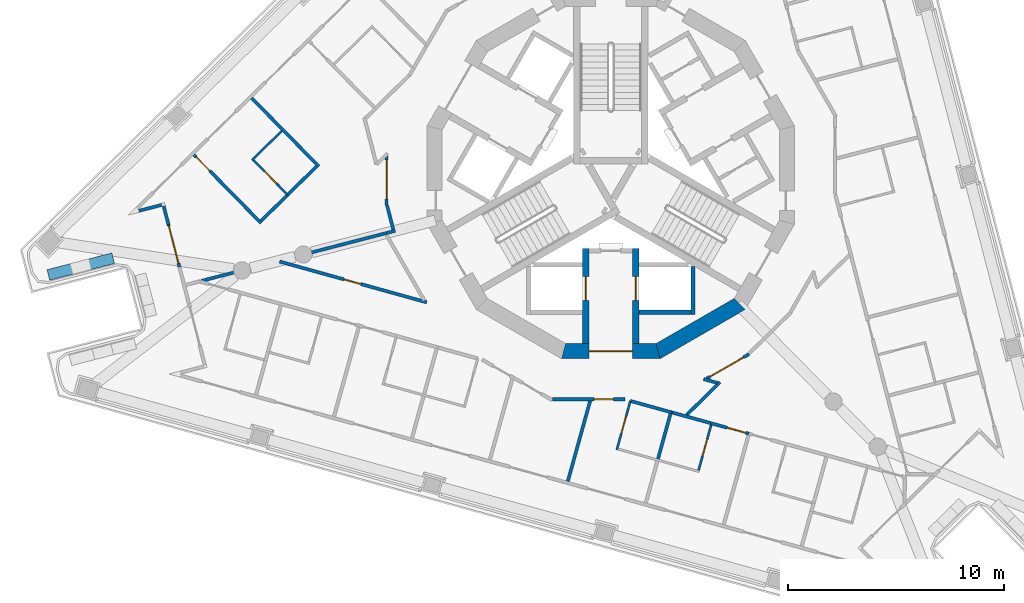
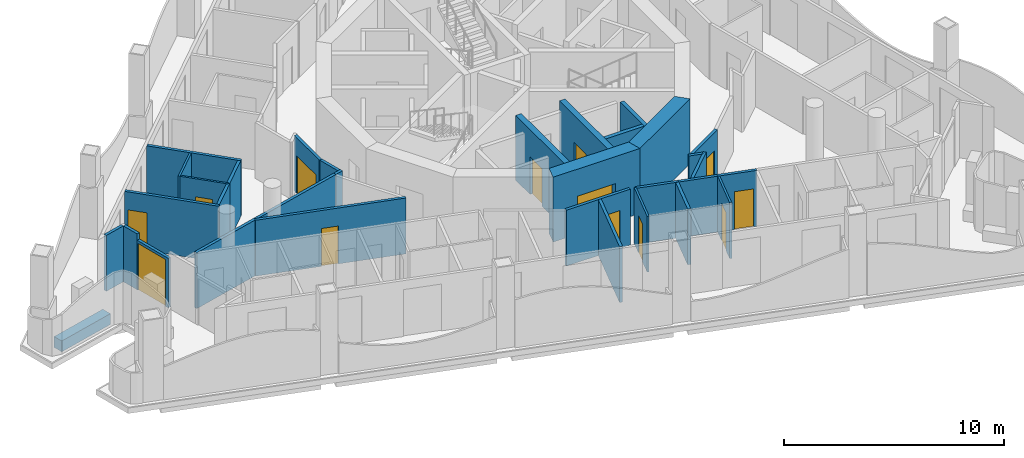
# One storey, part 3 of 15: 32 walls, 13 doors, 13 openings.
"""IFC4 building model written with IfcOpenShell, lengths in metres."""

from ifc_helpers import new_model, si_unit, direction, frame, frame_2d, origin, place, context, subcontext, project, spatial, polyline, rectangle, outline, extrude, material, layer, layer_set, type_object, element, fill, save


model = new_model("IFC4")

# Units and contexts
model_context = context("Model", 3, precision=1e-05, world=origin(), true_north=direction((0.0, 1.0)))
body_context = subcontext(model_context, "Body", "Model", "MODEL_VIEW")
ifc_project = project(units=[si_unit("LENGTHUNIT", "METRE"), si_unit("AREAUNIT", "SQUARE_METRE"), si_unit("VOLUMEUNIT", "CUBIC_METRE"), si_unit("PLANEANGLEUNIT", "RADIAN"), si_unit("MASSUNIT", "GRAM", prefix="KILO")], contexts=[model_context])

# Site, building, storey
site_placement = place(None, origin())
site = spatial("IfcSite", under=ifc_project, at=site_placement, CompositionType="ELEMENT")
building_placement = place(site_placement, origin())
building = spatial("IfcBuilding", under=site, at=building_placement, Name="Trine Commons Tower", CompositionType="ELEMENT")
storey_placement = place(building_placement, frame((0.0, 0.0, 263.699951171875)))
storey = spatial("IfcBuildingStorey", under=building, at=storey_placement, Name="L69", CompositionType="ELEMENT", Elevation=263.699951171875)

# Wall, opening, door
ifc_material_1 = material(Name="Aluminium-framed insulated wall panel", Category="aluminium")
ifc_layer_1 = layer(ifc_material_1, 0.14990234375)
ifc_layer_set_1 = layer_set([ifc_layer_1], Name="Aluminium-framed insulated wall panel")
wall_type_1 = type_object("IfcWallType", Name="Glazed frame wall 150, EI 60", PredefinedType="SOLIDWALL", material=ifc_layer_set_1)
wall_1_placement = place(storey_placement, frame((60.0390625, 58.2451171875, 0.0), z_axis=(0.0, 0.0, 1.0), x_axis=(-0.250341838346, 0.968157509899, 0.0)))
wall_1 = element("IfcWall", 1, at=wall_1_placement, inside=storey, type_object=wall_type_1, Name="Glazed frame wall P3.4", PredefinedType="SOLIDWALL", context=body_context, shape_type="SweptSolid", body=[
    extrude(outline(polyline([(0.0, -0.074951171875), (2.021484375, -0.074951171875), (2.021484375, 0.074951171875), (0.0, 0.074951171875), (0.0, -0.074951171875)])), origin(), (0.0, 0.0, 1.0), 2.75),
])
opening_1_placement = place(wall_1_placement, frame((0.17138671875, 0.0, 0.0)))
opening_1 = element("IfcOpeningElement", 2, at=opening_1_placement, cuts=wall_1, Name="Opening BD-7P3-02", PredefinedType="OPENING", context=body_context, shape_type="SweptSolid", body=[
    extrude(rectangle(XDim=1.800048828125, YDim=2.60009765625, at=frame_2d((0.89990234375, 1.300048828125))), frame((0.0, 0.0849609375, 0.0), z_axis=(0.0, -1.0, 0.0), x_axis=(1.0, 0.0, 0.0)), (0.0, 0.0, 1.0), 0.169921875),
])
ifc_material_2 = material(Name="Anodised aluminium frame with double glazing", Category="aluminium")
door_type_1 = type_object("IfcDoorType", Name="Sliding loggia door 1800x2600", OperationType="SLIDING_TO_LEFT", PredefinedType="DOOR", material=ifc_material_2)
door_1_placement = place(opening_1_placement, origin())
door_1 = element("IfcDoor", 3, at=door_1_placement, inside=storey, type_object=door_type_1, Name="Loggia door P3 2", OperationType="SLIDING_TO_LEFT", OverallHeight=2.60009765625, OverallWidth=1.800048828125, PredefinedType="DOOR", context=body_context, shape_type="SweptSolid", body=[
    extrude(rectangle(XDim=1.800048828125, YDim=2.60009765625, at=frame_2d((0.89990234375, 1.300048828125))), frame((0.0, 0.02490234375, 0.0), z_axis=(0.0, -1.0, 0.0), x_axis=(1.0, 0.0, 0.0)), (0.0, 0.0, 1.0), 0.050048828125),
])
fill(opening_1, door_1)

# Walls
wall_2_placement = place(storey_placement, frame((59.532958984375, 60.202392578125, 0.0), z_axis=(0.0, 0.0, 1.0), x_axis=(-0.250284169086, 0.968172419926, 0.0)))
element("IfcWall", 4, at=wall_2_placement, inside=storey, type_object=wall_type_1, Name="Glazed frame wall P3.5", PredefinedType="SOLIDWALL", context=body_context, shape_type="SweptSolid", body=[
    extrude(outline(polyline([(0.889892578125, 0.074951171875), (0.0, 0.074951171875), (0.0, -0.074951171875), (0.889892578125, -0.074951171875), (0.889892578125, 0.074951171875)])), origin(), (0.0, 0.0, 1.0), 3.10009765625),
])
wall_3_placement = place(storey_placement, frame((59.3251953125, 61.145263671875, 0.0), z_axis=(0.0, 0.0, 1.0), x_axis=(-0.968156774456, -0.250344682538, 0.0)))
element("IfcWall", 5, at=wall_3_placement, inside=storey, type_object=wall_type_1, Name="Glazed frame wall R12", PredefinedType="SOLIDWALL", context=body_context, shape_type="SweptSolid", body=[
    extrude(outline(polyline([(0.110107421875, 0.074951171875), (0.110107421875, -0.074951171875), (1.19580078125, -0.074951171875), (1.19580078125, 0.074951171875), (0.110107421875, 0.074951171875)])), origin(), (0.0, 0.0, 1.0), 3.10009765625),
])
ifc_material_3 = material(Name="Planter trough, precast concrete C40/50", Category="concrete")
ifc_layer_2 = layer(ifc_material_3, 0.5)
ifc_layer_set_2 = layer_set([ifc_layer_2], Name="Planter trough, precast concrete C40/50")
wall_type_2 = type_object("IfcWallType", Name="Planter trough 500x600", PredefinedType="PARAPET", material=ifc_layer_set_2)
wall_4_placement = place(storey_placement, frame((56.974609375, 58.65234375, 0.0), z_axis=(0.0, 0.0, 1.0), x_axis=(-0.968151190511, -0.250366276306, 0.0)))
element("IfcWall", 6, at=wall_4_placement, inside=storey, type_object=wall_type_2, Name="Planter 3", PredefinedType="PARAPET", context=body_context, shape_type="SweptSolid", body=[
    extrude(rectangle(XDim=3.099853515625, YDim=0.5, at=frame_2d((1.5498046875, 0.0))), origin(), (0.0, 0.0, 1.0), 0.60009765625),
])

# Wall, opening, door
ifc_material_4 = material(Name="Concrete C50/60", Category="concrete")
ifc_layer_3 = layer(ifc_material_4, 0.300048828125)
ifc_layer_set_3 = layer_set([ifc_layer_3], Name="Concrete C50/60")
wall_type_3 = type_object("IfcWallType", Name="RC shear wall 300 mm, C50/60", PredefinedType="SHEAR", material=ifc_layer_set_3)
wall_5_placement = place(storey_placement, frame((78.85009765625, 59.10009765625, 0.0), z_axis=(0.0, 0.0, 1.0), x_axis=(0.0, -1.0, 0.0)))
wall_5 = element("IfcWall", 7, at=wall_5_placement, inside=storey, type_object=wall_type_3, Name="Core cross wall SWC-03 L69", PredefinedType="SHEAR", context=body_context, shape_type="SweptSolid", body=[
    extrude(rectangle(XDim=4.400146484375, YDim=0.300048828125, at=frame_2d((2.2001953125, 0.0))), origin(), (0.0, 0.0, 1.0), 3.60009765625),
])
opening_2_placement = place(wall_5_placement, frame((1.300048828125, 0.0, 0.0)))
opening_2 = element("IfcOpeningElement", 8, at=opening_2_placement, cuts=wall_5, Name="Opening LD10", PredefinedType="OPENING", context=body_context, shape_type="SweptSolid", body=[
    extrude(rectangle(XDim=1.10009765625, YDim=2.10009765625, at=frame_2d((0.550048828125, 1.050048828125))), frame((0.0, 0.159912109375, 0.0), z_axis=(0.0, -1.0, 0.0), x_axis=(1.0, 0.0, 0.0)), (0.0, 0.0, 1.0), 0.320068359375),
])
ifc_material_5 = material(Name="Stainless steel sliding door leaves", Category="steel")
door_type_2 = type_object("IfcDoorType", Name="Lift landing door, centre-opening sliding 1100 x 2100, FD90", OperationType="DOUBLE_DOOR_SLIDING", PredefinedType="DOOR", material=ifc_material_5)
door_2_placement = place(opening_2_placement, origin())
door_2 = element("IfcDoor", 9, at=door_2_placement, inside=storey, type_object=door_type_2, Name="Lift landing door FF2 L69", OperationType="DOUBLE_DOOR_SLIDING", OverallHeight=2.10009765625, OverallWidth=1.10009765625, PredefinedType="DOOR", context=body_context, shape_type="SweptSolid", body=[
    extrude(rectangle(XDim=1.10009765625, YDim=2.10009765625, at=frame_2d((0.550048828125, 1.050048828125))), frame((0.0, 0.02490234375, 0.0), z_axis=(0.0, -1.0, 0.0), x_axis=(1.0, 0.0, 0.0)), (0.0, 0.0, 1.0), 0.050048828125),
])
fill(opening_2, door_2)

wall_6_placement = place(storey_placement, frame((81.14990234375, 59.10009765625, 0.0), z_axis=(0.0, 0.0, 1.0), x_axis=(0.0, -1.0, 0.0)))
wall_6 = element("IfcWall", 10, at=wall_6_placement, inside=storey, type_object=wall_type_3, Name="Core cross wall SWC-04 L69", PredefinedType="SHEAR", context=body_context, shape_type="SweptSolid", body=[
    extrude(rectangle(XDim=4.400146484375, YDim=0.300048828125, at=frame_2d((2.2001953125, 0.0))), origin(), (0.0, 0.0, 1.0), 3.60009765625),
])
opening_3_placement = place(wall_6_placement, frame((1.300048828125, 0.0, 0.0)))
opening_3 = element("IfcOpeningElement", 11, at=opening_3_placement, cuts=wall_6, Name="Opening LD9", PredefinedType="OPENING", context=body_context, shape_type="SweptSolid", body=[
    extrude(rectangle(XDim=1.10009765625, YDim=2.10009765625, at=frame_2d((0.550048828125, 1.050048828125))), frame((0.0, 0.159912109375, 0.0), z_axis=(0.0, -1.0, 0.0), x_axis=(1.0, 0.0, 0.0)), (0.0, 0.0, 1.0), 0.320068359375),
])
door_3_placement = place(opening_3_placement, origin())
door_3 = element("IfcDoor", 12, at=door_3_placement, inside=storey, type_object=door_type_2, Name="Lift landing door FF1 L69", OperationType="DOUBLE_DOOR_SLIDING", OverallHeight=2.10009765625, OverallWidth=1.10009765625, PredefinedType="DOOR", context=body_context, shape_type="SweptSolid", body=[
    extrude(rectangle(XDim=1.10009765625, YDim=2.10009765625, at=frame_2d((0.550048828125, 1.050048828125))), frame((0.0, 0.02490234375, 0.0), z_axis=(0.0, -1.0, 0.0), x_axis=(1.0, 0.0, 0.0)), (0.0, 0.0, 1.0), 0.050048828125),
])
fill(opening_3, door_3)

ifc_layer_4 = layer(ifc_material_4, 0.699951171875)
ifc_layer_set_4 = layer_set([ifc_layer_4], Name="Concrete C50/60")
wall_type_4 = type_object("IfcWallType", Name="RC shear wall 700 mm, C50/60", PredefinedType="SHEAR", material=ifc_layer_set_4)
wall_7_placement = place(storey_placement, frame((77.722412109375, 54.349853515625, 0.0), z_axis=(0.0, 0.0, 1.0), x_axis=(1.0, 0.0, 0.0)))
wall_7 = element("IfcWall", 13, at=wall_7_placement, inside=storey, type_object=wall_type_4, Name="Core wall CWG-10 L69", PredefinedType="SHEAR", context=body_context, shape_type="SweptSolid", body=[
    extrude(outline(polyline([(0.0, -0.35009765625), (4.55517578125, -0.35009765625), (4.36767578125, 0.35009765625), (0.1875, 0.35009765625), (0.0, -0.35009765625)])), origin(), (0.0, 0.0, 1.0), 3.60009765625),
])
opening_4_placement = place(wall_7_placement, frame((1.277587890625, 0.0, 0.0)))
opening_4 = element("IfcOpeningElement", 14, at=opening_4_placement, cuts=wall_7, Name="Opening K15.08", PredefinedType="OPENING", context=body_context, shape_type="SweptSolid", body=[
    extrude(rectangle(XDim=2.0, YDim=2.10009765625, at=frame_2d((1.0, 1.050048828125))), frame((0.0, 0.35986328125, 0.0), z_axis=(0.0, -1.0, 0.0), x_axis=(1.0, 0.0, 0.0)), (0.0, 0.0, 1.0), 0.719970703125),
])
ifc_material_6 = material(Name="Steel door leaves, fire-rated", Category="steel")
door_type_3 = type_object("IfcDoorType", Name="Lobby door, double leaf 2000 x 2100, FD60", OperationType="DOUBLE_DOOR_SINGLE_SWING", PredefinedType="DOOR", material=ifc_material_6)
door_4_placement = place(opening_4_placement, origin())
door_4 = element("IfcDoor", 15, at=door_4_placement, inside=storey, type_object=door_type_3, Name="Lobby door, Service and firefighting lobby L69", OperationType="DOUBLE_DOOR_SINGLE_SWING", OverallHeight=2.10009765625, OverallWidth=2.0, PredefinedType="DOOR", context=body_context, shape_type="SweptSolid", body=[
    extrude(rectangle(XDim=2.0, YDim=2.10009765625, at=frame_2d((1.0, 1.050048828125))), frame((0.0, 0.02490234375, 0.0), z_axis=(0.0, -1.0, 0.0), x_axis=(1.0, 0.0, 0.0)), (0.0, 0.0, 1.0), 0.050048828125),
])
fill(opening_4, door_4)

# Walls
wall_8_placement = place(storey_placement, frame((82.1025390625, 54.302978515625, 0.0), z_axis=(0.0, 0.0, 1.0), x_axis=(0.866034756103, 0.499983800959, 0.0)))
element("IfcWall", 16, at=wall_8_placement, inside=storey, type_object=wall_type_4, Name="Core wall CWG-11 L69", PredefinedType="SHEAR", context=body_context, shape_type="SweptSolid", body=[
    extrude(outline(polyline([(0.0, -0.35009765625), (4.55517578125, -0.35009765625), (4.36767578125, 0.35009765625), (0.1875, 0.35009765625), (0.0, -0.35009765625)])), origin(), (0.0, 0.0, 1.0), 3.60009765625),
])
ifc_material_7 = material(Name="Fire-rated gypsum shaft wall system")
ifc_layer_5 = layer(ifc_material_7, 0.199951171875)
ifc_layer_set_5 = layer_set([ifc_layer_5], Name="Fire-rated gypsum shaft wall system")
wall_type_5 = type_object("IfcWallType", Name="Shaft wall 200 mm, EI 120", PredefinedType="PARTITIONING", material=ifc_layer_set_5)
wall_9_placement = place(storey_placement, frame((81.300048828125, 56.14990234375, 0.0), z_axis=(0.0, 0.0, 1.0), x_axis=(1.0, 0.0, 0.0)))
element("IfcWall", 17, at=wall_9_placement, inside=storey, type_object=wall_type_5, Name="Shaft wall L69", PredefinedType="PARTITIONING", context=body_context, shape_type="SweptSolid", body=[
    extrude(rectangle(XDim=2.39990234375, YDim=0.199951171875, at=frame_2d((1.199951171875, 0.0))), origin(), (0.0, 0.0, 1.0), 3.10009765625),
])
wall_10_placement = place(storey_placement, frame((83.800048828125, 58.257080078125, 0.0), z_axis=(0.0, 0.0, 1.0), x_axis=(0.0, -1.0, 0.0)))
element("IfcWall", 18, at=wall_10_placement, inside=storey, type_object=wall_type_5, Name="Shaft wall L69", PredefinedType="PARTITIONING", context=body_context, shape_type="SweptSolid", body=[
    extrude(rectangle(XDim=2.20703125, YDim=0.199951171875, at=frame_2d((1.103515625, 0.0))), origin(), (0.0, 0.0, 1.0), 3.10009765625),
])

# Wall, opening, door
ifc_material_8 = material(Name="Gypsum plasterboard on steel stud", Category="steel")
ifc_layer_6 = layer(ifc_material_8, 0.14990234375)
ifc_layer_set_6 = layer_set([ifc_layer_6], Name="Gypsum plasterboard on steel stud")
wall_type_6 = type_object("IfcWallType", Name="Unit and corridor wall 150 mm, EI 60", PredefinedType="PARTITIONING", material=ifc_layer_set_6)
wall_11_placement = place(storey_placement, frame((60.7119140625, 63.4375, 0.0), z_axis=(0.0, 0.0, 1.0), x_axis=(0.700942148678, -0.713218132276, 0.0)))
wall_11 = element("IfcWall", 19, at=wall_11_placement, inside=storey, type_object=wall_type_6, Name="Partition 002", PredefinedType="PARTITIONING", context=body_context, shape_type="SweptSolid", body=[
    extrude(rectangle(XDim=4.43505859375, YDim=0.14990234375, at=frame_2d((2.217529296875, 0.0))), origin(), (0.0, 0.0, 1.0), 3.10009765625),
])
opening_5_placement = place(wall_11_placement, frame((0.14990234375, 0.0, 0.0)))
opening_5 = element("IfcOpeningElement", 20, at=opening_5_placement, cuts=wall_11, Name="Opening D-7C04", PredefinedType="OPENING", context=body_context, shape_type="SweptSolid", body=[
    extrude(rectangle(XDim=0.89990234375, YDim=2.10009765625, at=frame_2d((0.449951171875, 1.050048828125))), frame((0.0, 0.0849609375, 0.0), z_axis=(0.0, -1.0, 0.0), x_axis=(1.0, 0.0, 0.0)), (0.0, 0.0, 1.0), 0.169921875),
])
ifc_material_9 = material(Name="Timber fire door set", Category="wood")
door_type_4 = type_object("IfcDoorType", Name="Bedroom door 900 x 2100, FD30S", OperationType="NOTDEFINED", PredefinedType="DOOR", material=ifc_material_9)
door_5_placement = place(opening_5_placement, origin())
door_5 = element("IfcDoor", 21, at=door_5_placement, inside=storey, type_object=door_type_4, Name="Door D-7C04", OperationType="SINGLE_SWING_LEFT", OverallHeight=2.10009765625, OverallWidth=0.89990234375, PredefinedType="DOOR", context=body_context, shape_type="SweptSolid", body=[
    extrude(rectangle(XDim=0.89990234375, YDim=2.10009765625, at=frame_2d((0.449951171875, 1.050048828125))), frame((0.0, 0.02490234375, 0.0), z_axis=(0.0, -1.0, 0.0), x_axis=(1.0, 0.0, 0.0)), (0.0, 0.0, 1.0), 0.050048828125),
])
fill(opening_5, door_5)

# Walls
wall_12_placement = place(storey_placement, frame((61.043701171875, 57.597900390625, 0.0), z_axis=(0.0, 0.0, 1.0), x_axis=(0.968149558091, 0.25037258869, 0.0)))
element("IfcWall", 22, at=wall_12_placement, inside=storey, type_object=wall_type_6, Name="Partition 004", PredefinedType="PARTITIONING", context=body_context, shape_type="SweptSolid", body=[
    extrude(rectangle(XDim=8.86767578125, YDim=0.14990234375, at=frame_2d((4.433837890625, 0.0))), origin(), (0.0, 0.0, 1.0), 3.10009765625),
])
wall_13_placement = place(storey_placement, frame((63.382080078125, 66.060546875, 0.0), z_axis=(0.0, 0.0, 1.0), x_axis=(0.700914144597, -0.713245653267, 0.0)))
element("IfcWall", 23, at=wall_13_placement, inside=storey, type_object=wall_type_6, Name="Partition 007", PredefinedType="PARTITIONING", context=body_context, shape_type="SweptSolid", body=[
    extrude(rectangle(XDim=4.434814453125, YDim=0.14990234375, at=frame_2d((2.21728515625, 0.0))), origin(), (0.0, 0.0, 1.0), 3.10009765625),
])
wall_14_placement = place(storey_placement, frame((63.821533203125, 60.380615234375, 0.0), z_axis=(0.0, 0.0, 1.0), x_axis=(0.713529170303, 0.700625522748, 0.0)))
element("IfcWall", 24, at=wall_14_placement, inside=storey, type_object=wall_type_6, Name="Partition 011", PredefinedType="PARTITIONING", context=body_context, shape_type="SweptSolid", body=[
    extrude(rectangle(XDim=1.7216796875, YDim=0.14990234375, at=frame_2d((0.86083984375, 0.0))), origin(), (0.0, 0.0, 1.0), 3.10009765625),
])

# Wall, opening, door
wall_15_placement = place(storey_placement, frame((64.67333984375, 58.498046875, 0.0), z_axis=(0.0, 0.0, 1.0), x_axis=(0.963632187737, -0.267232121491, 0.0)))
wall_15 = element("IfcWall", 25, at=wall_15_placement, inside=storey, type_object=wall_type_6, Name="Partition 015", PredefinedType="PARTITIONING", context=body_context, shape_type="SweptSolid", body=[
    extrude(rectangle(XDim=7.064697265625, YDim=0.14990234375, at=frame_2d((3.5322265625, 0.0))), origin(), (0.0, 0.0, 1.0), 3.10009765625),
])
opening_6_placement = place(wall_15_placement, frame((3.094970703125, 0.0, 0.0)))
opening_6 = element("IfcOpeningElement", 26, at=opening_6_placement, cuts=wall_15, Name="Opening D-7C27", PredefinedType="OPENING", context=body_context, shape_type="SweptSolid", body=[
    extrude(rectangle(XDim=0.800048828125, YDim=2.10009765625, at=frame_2d((0.39990234375, 1.050048828125))), frame((0.0, 0.0849609375, 0.0), z_axis=(0.0, -1.0, 0.0), x_axis=(1.0, 0.0, 0.0)), (0.0, 0.0, 1.0), 0.169921875),
])
ifc_material_10 = material(Name="Painted timber", Category="wood")
door_type_5 = type_object("IfcDoorType", Name="Toilet door 800 x 2100, NOT RATED", OperationType="NOTDEFINED", PredefinedType="DOOR", material=ifc_material_10)
door_6_placement = place(opening_6_placement, origin())
door_6 = element("IfcDoor", 27, at=door_6_placement, inside=storey, type_object=door_type_5, Name="Door D-7C27", OperationType="SINGLE_SWING_LEFT", OverallHeight=2.10009765625, OverallWidth=0.800048828125, PredefinedType="DOOR", context=body_context, shape_type="SweptSolid", body=[
    extrude(rectangle(XDim=0.800048828125, YDim=2.10009765625, at=frame_2d((0.39990234375, 1.050048828125))), frame((0.0, 0.02490234375, 0.0), z_axis=(0.0, -1.0, 0.0), x_axis=(1.0, 0.0, 0.0)), (0.0, 0.0, 1.0), 0.050048828125),
])
fill(opening_6, door_6)

# Walls
wall_16_placement = place(storey_placement, frame((65.0439453125, 61.5810546875, 0.0), z_axis=(0.0, 0.0, 1.0), x_axis=(0.713249843404, 0.700909880715, 0.0)))
element("IfcWall", 28, at=wall_16_placement, inside=storey, type_object=wall_type_6, Name="Partition 016", PredefinedType="PARTITIONING", context=body_context, shape_type="SweptSolid", body=[
    extrude(rectangle(XDim=1.879638671875, YDim=0.14990234375, at=frame_2d((0.93994140625, 0.0))), origin(), (0.0, 0.0, 1.0), 3.10009765625),
])
wall_17_placement = place(storey_placement, frame((69.625, 59.81689453125, 0.0), z_axis=(0.0, 0.0, 1.0), x_axis=(0.968355193071, 0.249576080688, 0.0)))
element("IfcWall", 29, at=wall_17_placement, inside=storey, type_object=wall_type_6, Name="Partition 031", PredefinedType="PARTITIONING", context=body_context, shape_type="SweptSolid", body=[
    extrude(rectangle(XDim=0.415771484375, YDim=0.14990234375, at=frame_2d((0.2080078125, 0.0))), origin(), (0.0, 0.0, 1.0), 3.10009765625),
])

# Wall, opening, door
wall_18_placement = place(storey_placement, frame((69.625, 61.10498046875, 0.0), z_axis=(0.0, 0.0, 1.0), x_axis=(0.0, 1.0, 0.0)))
wall_18 = element("IfcWall", 30, at=wall_18_placement, inside=storey, type_object=wall_type_6, Name="Partition 032", PredefinedType="PARTITIONING", context=body_context, shape_type="SweptSolid", body=[
    extrude(rectangle(XDim=2.27197265625, YDim=0.14990234375, at=frame_2d((1.135986328125, 0.0))), origin(), (0.0, 0.0, 1.0), 3.10009765625),
])
opening_7_placement = place(wall_18_placement, frame((0.28271484375, 0.0, 0.0)))
opening_7 = element("IfcOpeningElement", 31, at=opening_7_placement, cuts=wall_18, Name="Opening D-7C03", PredefinedType="OPENING", context=body_context, shape_type="SweptSolid", body=[
    extrude(rectangle(XDim=1.800048828125, YDim=2.10009765625, at=frame_2d((0.89990234375, 1.050048828125))), frame((0.0, 0.0849609375, 0.0), z_axis=(0.0, -1.0, 0.0), x_axis=(1.0, 0.0, 0.0)), (0.0, 0.0, 1.0), 0.169921875),
])
door_type_6 = type_object("IfcDoorType", Name="Cluster entrance door 1800 x 2100, double leaf, FD30S", OperationType="DOUBLE_DOOR_DOUBLE_SWING", PredefinedType="DOOR", material=ifc_material_9)
door_7_placement = place(opening_7_placement, origin())
door_7 = element("IfcDoor", 32, at=door_7_placement, inside=storey, type_object=door_type_6, Name="Door D-7C03", OperationType="DOUBLE_DOOR_DOUBLE_SWING", OverallHeight=2.10009765625, OverallWidth=1.800048828125, PredefinedType="DOOR", context=body_context, shape_type="SweptSolid", body=[
    extrude(rectangle(XDim=1.800048828125, YDim=2.10009765625, at=frame_2d((0.89990234375, 1.050048828125))), frame((0.0, 0.02490234375, 0.0), z_axis=(0.0, -1.0, 0.0), x_axis=(1.0, 0.0, 0.0)), (0.0, 0.0, 1.0), 0.050048828125),
])
fill(opening_7, door_7)

# Wall
wall_19_placement = place(storey_placement, frame((69.643798828125, 61.107421875, 0.0), z_axis=(0.0, 0.0, 1.0), x_axis=(0.249991617467, -0.968248000874, 0.0)))
element("IfcWall", 33, at=wall_19_placement, inside=storey, type_object=wall_type_6, Name="Partition 033", PredefinedType="PARTITIONING", context=body_context, shape_type="SweptSolid", body=[
    extrude(rectangle(XDim=1.169921875, YDim=0.14990234375, at=frame_2d((0.5849609375, 0.0))), origin(), (0.0, 0.0, 1.0), 3.10009765625),
])

# Wall, opening, door
wall_20_placement = place(storey_placement, frame((77.294921875, 52.125, 0.0), z_axis=(0.0, 0.0, 1.0), x_axis=(1.0, 0.0, 0.0)))
wall_20 = element("IfcWall", 34, at=wall_20_placement, inside=storey, type_object=wall_type_6, Name="Partition 051", PredefinedType="PARTITIONING", context=body_context, shape_type="SweptSolid", body=[
    extrude(rectangle(XDim=3.35595703125, YDim=0.14990234375, at=frame_2d((1.677978515625, 0.0))), origin(), (0.0, 0.0, 1.0), 3.10009765625),
])
opening_8_placement = place(wall_20_placement, frame((1.919921875, 0.0, 0.0)))
opening_8 = element("IfcOpeningElement", 35, at=opening_8_placement, cuts=wall_20, Name="Opening D-7C21", PredefinedType="OPENING", context=body_context, shape_type="SweptSolid", body=[
    extrude(rectangle(XDim=0.89990234375, YDim=2.10009765625, at=frame_2d((0.449951171875, 1.050048828125))), frame((0.0, 0.0849609375, 0.0), z_axis=(0.0, -1.0, 0.0), x_axis=(1.0, 0.0, 0.0)), (0.0, 0.0, 1.0), 0.169921875),
])
door_8_placement = place(opening_8_placement, frame((0.89990234375, 0.0, 0.0), z_axis=(0.0, 0.0, 1.0), x_axis=(-1.0, 0.0, 0.0)))
door_8 = element("IfcDoor", 36, at=door_8_placement, inside=storey, type_object=door_type_4, Name="Door D-7C21", OperationType="SINGLE_SWING_LEFT", OverallHeight=2.10009765625, OverallWidth=0.89990234375, PredefinedType="DOOR", context=body_context, shape_type="SweptSolid", body=[
    extrude(rectangle(XDim=0.89990234375, YDim=2.10009765625, at=frame_2d((0.449951171875, 1.050048828125))), frame((0.0, 0.02490234375, 0.0), z_axis=(0.0, -1.0, 0.0), x_axis=(1.0, 0.0, 0.0)), (0.0, 0.0, 1.0), 0.050048828125),
])
fill(opening_8, door_8)

# Walls
wall_21_placement = place(storey_placement, frame((78.01171875, 48.32861328125, 0.0), z_axis=(0.0, 0.0, 1.0), x_axis=(0.267337590954, 0.963602932988, 0.0)))
element("IfcWall", 37, at=wall_21_placement, inside=storey, type_object=wall_type_6, Name="Partition 052", PredefinedType="PARTITIONING", context=body_context, shape_type="SweptSolid", body=[
    extrude(rectangle(XDim=3.86474609375, YDim=0.14990234375, at=frame_2d((1.932373046875, 0.0))), origin(), (0.0, 0.0, 1.0), 3.10009765625),
])
wall_22_placement = place(storey_placement, frame((80.90087890625, 52.049072265625, 0.0), z_axis=(0.0, 0.0, 1.0), x_axis=(0.963617907418, -0.267283610613, 0.0)))
element("IfcWall", 38, at=wall_22_placement, inside=storey, type_object=wall_type_6, Name="Partition 061", PredefinedType="PARTITIONING", context=body_context, shape_type="SweptSolid", body=[
    extrude(rectangle(XDim=1.95751953125, YDim=0.14990234375, at=frame_2d((0.978759765625, 0.0))), origin(), (0.0, 0.0, 1.0), 3.10009765625),
])
wall_23_placement = place(storey_placement, frame((82.182373046875, 49.361083984375, 0.0), z_axis=(0.0, 0.0, 1.0), x_axis=(0.267459715807, 0.963569042892, 0.0)))
element("IfcWall", 39, at=wall_23_placement, inside=storey, type_object=wall_type_6, Name="Partition 064", PredefinedType="PARTITIONING", context=body_context, shape_type="SweptSolid", body=[
    extrude(rectangle(XDim=2.324951171875, YDim=0.14990234375, at=frame_2d((1.16259765625, 0.0))), origin(), (0.0, 0.0, 1.0), 3.10009765625),
])
wall_24_placement = place(storey_placement, frame((82.852294921875, 51.508056640625, 0.0), z_axis=(0.0, 0.0, 1.0), x_axis=(0.963942160186, -0.266111840805, 0.0)))
element("IfcWall", 40, at=wall_24_placement, inside=storey, type_object=wall_type_6, Name="Partition 067", PredefinedType="PARTITIONING", context=body_context, shape_type="SweptSolid", body=[
    extrude(rectangle(XDim=1.882568359375, YDim=0.14990234375, at=frame_2d((0.94140625, 0.0))), origin(), (0.0, 0.0, 1.0), 3.10009765625),
])
wall_25_placement = place(storey_placement, frame((83.506591796875, 51.3955078125, 0.0), z_axis=(0.0, 0.0, 1.0), x_axis=(0.712824796749, 0.701342148412, 0.0)))
element("IfcWall", 41, at=wall_25_placement, inside=storey, type_object=wall_type_6, Name="Partition 069", PredefinedType="PARTITIONING", context=body_context, shape_type="SweptSolid", body=[
    extrude(rectangle(XDim=2.168701171875, YDim=0.14990234375, at=frame_2d((1.08447265625, 0.0))), origin(), (0.0, 0.0, 1.0), 3.10009765625),
])
wall_26_placement = place(storey_placement, frame((84.290771484375, 53.058837890625, 0.0), z_axis=(0.0, 0.0, 1.0), x_axis=(0.964146228047, -0.265371533785, 0.0)))
element("IfcWall", 42, at=wall_26_placement, inside=storey, type_object=wall_type_6, Name="Partition 074", PredefinedType="PARTITIONING", context=body_context, shape_type="SweptSolid", body=[
    extrude(rectangle(XDim=0.65966796875, YDim=0.14990234375, at=frame_2d((0.329833984375, 0.0))), origin(), (0.0, 0.0, 1.0), 3.10009765625),
])

# Wall, opening, door
wall_27_placement = place(storey_placement, frame((84.427978515625, 53.076416015625, 0.0), z_axis=(0.0, 0.0, 1.0), x_axis=(0.866072877359, 0.499917764341, 0.0)))
wall_27 = element("IfcWall", 43, at=wall_27_placement, inside=storey, type_object=wall_type_6, Name="Partition 075", PredefinedType="PARTITIONING", context=body_context, shape_type="SweptSolid", body=[
    extrude(rectangle(XDim=2.2724609375, YDim=0.14990234375, at=frame_2d((1.13623046875, 0.0))), origin(), (0.0, 0.0, 1.0), 3.10009765625),
])
opening_9_placement = place(wall_27_placement, frame((0.188720703125, 0.0, 0.0)))
opening_9 = element("IfcOpeningElement", 44, at=opening_9_placement, cuts=wall_27, Name="Opening D-7C02", PredefinedType="OPENING", context=body_context, shape_type="SweptSolid", body=[
    extrude(rectangle(XDim=1.800048828125, YDim=2.10009765625, at=frame_2d((0.89990234375, 1.050048828125))), frame((0.0, 0.0849609375, 0.0), z_axis=(0.0, -1.0, 0.0), x_axis=(1.0, 0.0, 0.0)), (0.0, 0.0, 1.0), 0.169921875),
])
door_9_placement = place(opening_9_placement, frame((1.800048828125, 0.0, 0.0), z_axis=(0.0, 0.0, 1.0), x_axis=(-1.0, 0.0, 0.0)))
door_9 = element("IfcDoor", 45, at=door_9_placement, inside=storey, type_object=door_type_6, Name="Door D-7C02", OperationType="DOUBLE_DOOR_DOUBLE_SWING", OverallHeight=2.10009765625, OverallWidth=1.800048828125, PredefinedType="DOOR", context=body_context, shape_type="SweptSolid", body=[
    extrude(rectangle(XDim=1.800048828125, YDim=2.10009765625, at=frame_2d((0.89990234375, 1.050048828125))), frame((0.0, 0.02490234375, 0.0), z_axis=(0.0, -1.0, 0.0), x_axis=(1.0, 0.0, 0.0)), (0.0, 0.0, 1.0), 0.050048828125),
])
fill(opening_9, door_9)

wall_28_placement = place(storey_placement, frame((84.61083984375, 51.0224609375, 0.0), z_axis=(0.0, 0.0, 1.0), x_axis=(0.963673001046, -0.267084906077, 0.0)))
wall_28 = element("IfcWall", 46, at=wall_28_placement, inside=storey, type_object=wall_type_6, Name="Partition 076", PredefinedType="PARTITIONING", context=body_context, shape_type="SweptSolid", body=[
    extrude(rectangle(XDim=1.847412109375, YDim=0.14990234375, at=frame_2d((0.923828125, 0.0))), origin(), (0.0, 0.0, 1.0), 3.10009765625),
])
opening_10_placement = place(wall_28_placement, frame((0.79736328125, 0.0, 0.0)))
opening_10 = element("IfcOpeningElement", 47, at=opening_10_placement, cuts=wall_28, Name="Opening D-7C20", PredefinedType="OPENING", context=body_context, shape_type="SweptSolid", body=[
    extrude(rectangle(XDim=0.89990234375, YDim=2.10009765625, at=frame_2d((0.449951171875, 1.050048828125))), frame((0.0, 0.0849609375, 0.0), z_axis=(0.0, -1.0, 0.0), x_axis=(1.0, 0.0, 0.0)), (0.0, 0.0, 1.0), 0.169921875),
])
door_10_placement = place(opening_10_placement, frame((0.89990234375, 0.0, 0.0), z_axis=(0.0, 0.0, 1.0), x_axis=(-1.0, 0.0, 0.0)))
door_10 = element("IfcDoor", 48, at=door_10_placement, inside=storey, type_object=door_type_4, Name="Door D-7C20", OperationType="SINGLE_SWING_LEFT", OverallHeight=2.10009765625, OverallWidth=0.89990234375, PredefinedType="DOOR", context=body_context, shape_type="SweptSolid", body=[
    extrude(rectangle(XDim=0.89990234375, YDim=2.10009765625, at=frame_2d((0.449951171875, 1.050048828125))), frame((0.0, 0.02490234375, 0.0), z_axis=(0.0, -1.0, 0.0), x_axis=(1.0, 0.0, 0.0)), (0.0, 0.0, 1.0), 0.050048828125),
])
fill(opening_10, door_10)

# Wall
ifc_layer_7 = layer(ifc_material_8, 0.10009765625)
ifc_layer_set_7 = layer_set([ifc_layer_7], Name="Gypsum plasterboard on steel stud")
wall_type_7 = type_object("IfcWallType", Name="Unit partition 100 mm, no rating", PredefinedType="PARTITIONING", material=ifc_layer_set_7)
wall_29_placement = place(storey_placement, frame((63.3994140625, 63.18994140625, 0.0), z_axis=(0.0, 0.0, 1.0), x_axis=(0.713235134447, 0.700924848319, 0.0)))
element("IfcWall", 49, at=wall_29_placement, inside=storey, type_object=wall_type_7, Name="Partition 008", PredefinedType="PARTITIONING", context=body_context, shape_type="SweptSolid", body=[
    extrude(rectangle(XDim=1.923828125, YDim=0.10009765625, at=frame_2d((0.9619140625, 0.0))), origin(), (0.0, 0.0, 1.0), 3.10009765625),
])

# Wall, opening, door
wall_30_placement = place(storey_placement, frame((63.469970703125, 63.189208984375, 0.0), z_axis=(0.0, 0.0, 1.0), x_axis=(0.700841127081, -0.713317401015, 0.0)))
wall_30 = element("IfcWall", 50, at=wall_30_placement, inside=storey, type_object=wall_type_7, Name="Partition 009", PredefinedType="PARTITIONING", context=body_context, shape_type="SweptSolid", body=[
    extrude(rectangle(XDim=2.250244140625, YDim=0.10009765625, at=frame_2d((1.125, 0.0))), origin(), (0.0, 0.0, 1.0), 3.10009765625),
])
opening_11_placement = place(wall_30_placement, frame((0.72509765625, 0.0, 0.0)))
opening_11 = element("IfcOpeningElement", 51, at=opening_11_placement, cuts=wall_30, Name="Opening D-7C29", PredefinedType="OPENING", context=body_context, shape_type="SweptSolid", body=[
    extrude(rectangle(XDim=0.800048828125, YDim=2.10009765625, at=frame_2d((0.39990234375, 1.050048828125))), frame((0.0, 0.06005859375, 0.0), z_axis=(0.0, -1.0, 0.0), x_axis=(1.0, 0.0, 0.0)), (0.0, 0.0, 1.0), 0.1201171875),
])
door_type_7 = type_object("IfcDoorType", Name="Internal door 800 x 2100, NOT RATED", OperationType="NOTDEFINED", PredefinedType="DOOR", material=ifc_material_10)
door_11_placement = place(opening_11_placement, frame((0.800048828125, 0.0, 0.0), z_axis=(0.0, 0.0, 1.0), x_axis=(-1.0, 0.0, 0.0)))
door_11 = element("IfcDoor", 52, at=door_11_placement, inside=storey, type_object=door_type_7, Name="Door D-7C29", OperationType="SINGLE_SWING_RIGHT", OverallHeight=2.10009765625, OverallWidth=0.800048828125, PredefinedType="DOOR", context=body_context, shape_type="SweptSolid", body=[
    extrude(rectangle(XDim=0.800048828125, YDim=2.10009765625, at=frame_2d((0.39990234375, 1.050048828125))), frame((0.0, 0.02490234375, 0.0), z_axis=(0.0, -1.0, 0.0), x_axis=(1.0, 0.0, 0.0)), (0.0, 0.0, 1.0), 0.050048828125),
])
fill(opening_11, door_11)

wall_31_placement = place(storey_placement, frame((80.276611328125, 49.785888671875, 0.0), z_axis=(0.0, 0.0, 1.0), x_axis=(0.26744022448, 0.963574452925, 0.0)))
wall_31 = element("IfcWall", 53, at=wall_31_placement, inside=storey, type_object=wall_type_7, Name="Partition 058", PredefinedType="PARTITIONING", context=body_context, shape_type="SweptSolid", body=[
    extrude(rectangle(XDim=2.349853515625, YDim=0.10009765625, at=frame_2d((1.1748046875, 0.0))), origin(), (0.0, 0.0, 1.0), 3.10009765625),
])
opening_12_placement = place(wall_31_placement, frame((0.7998046875, 0.0, 0.0)))
opening_12 = element("IfcOpeningElement", 54, at=opening_12_placement, cuts=wall_31, Name="Opening D-7C42", PredefinedType="OPENING", context=body_context, shape_type="SweptSolid", body=[
    extrude(rectangle(XDim=0.800048828125, YDim=2.10009765625, at=frame_2d((0.39990234375, 1.050048828125))), frame((0.0, 0.06005859375, 0.0), z_axis=(0.0, -1.0, 0.0), x_axis=(1.0, 0.0, 0.0)), (0.0, 0.0, 1.0), 0.1201171875),
])
door_12_placement = place(opening_12_placement, origin())
door_12 = element("IfcDoor", 55, at=door_12_placement, inside=storey, type_object=door_type_7, Name="Door D-7C42", OperationType="SINGLE_SWING_RIGHT", OverallHeight=2.10009765625, OverallWidth=0.800048828125, PredefinedType="DOOR", context=body_context, shape_type="SweptSolid", body=[
    extrude(rectangle(XDim=0.800048828125, YDim=2.10009765625, at=frame_2d((0.39990234375, 1.050048828125))), frame((0.0, 0.02490234375, 0.0), z_axis=(0.0, -1.0, 0.0), x_axis=(1.0, 0.0, 0.0)), (0.0, 0.0, 1.0), 0.050048828125),
])
fill(opening_12, door_12)

wall_32_placement = place(storey_placement, frame((84.061279296875, 48.840087890625, 0.0), z_axis=(0.0, 0.0, 1.0), x_axis=(0.26738911175, 0.96358863781, 0.0)))
wall_32 = element("IfcWall", 56, at=wall_32_placement, inside=storey, type_object=wall_type_7, Name="Partition 072", PredefinedType="PARTITIONING", context=body_context, shape_type="SweptSolid", body=[
    extrude(rectangle(XDim=2.1748046875, YDim=0.10009765625, at=frame_2d((1.08740234375, 0.0))), origin(), (0.0, 0.0, 1.0), 3.10009765625),
])
opening_13_placement = place(wall_32_placement, frame((0.6875, 0.0, 0.0)))
opening_13 = element("IfcOpeningElement", 57, at=opening_13_placement, cuts=wall_32, Name="Opening D-7C41", PredefinedType="OPENING", context=body_context, shape_type="SweptSolid", body=[
    extrude(rectangle(XDim=0.800048828125, YDim=2.10009765625, at=frame_2d((0.39990234375, 1.050048828125))), frame((0.0, 0.06005859375, 0.0), z_axis=(0.0, -1.0, 0.0), x_axis=(1.0, 0.0, 0.0)), (0.0, 0.0, 1.0), 0.1201171875),
])
door_13_placement = place(opening_13_placement, frame((0.800048828125, 0.0, 0.0), z_axis=(0.0, 0.0, 1.0), x_axis=(-1.0, 0.0, 0.0)))
door_13 = element("IfcDoor", 58, at=door_13_placement, inside=storey, type_object=door_type_7, Name="Door D-7C41", OperationType="SINGLE_SWING_LEFT", OverallHeight=2.10009765625, OverallWidth=0.800048828125, PredefinedType="DOOR", context=body_context, shape_type="SweptSolid", body=[
    extrude(rectangle(XDim=0.800048828125, YDim=2.10009765625, at=frame_2d((0.39990234375, 1.050048828125))), frame((0.0, 0.02490234375, 0.0), z_axis=(0.0, -1.0, 0.0), x_axis=(1.0, 0.0, 0.0)), (0.0, 0.0, 1.0), 0.050048828125),
])
fill(opening_13, door_13)

save(model, "model.ifc")
